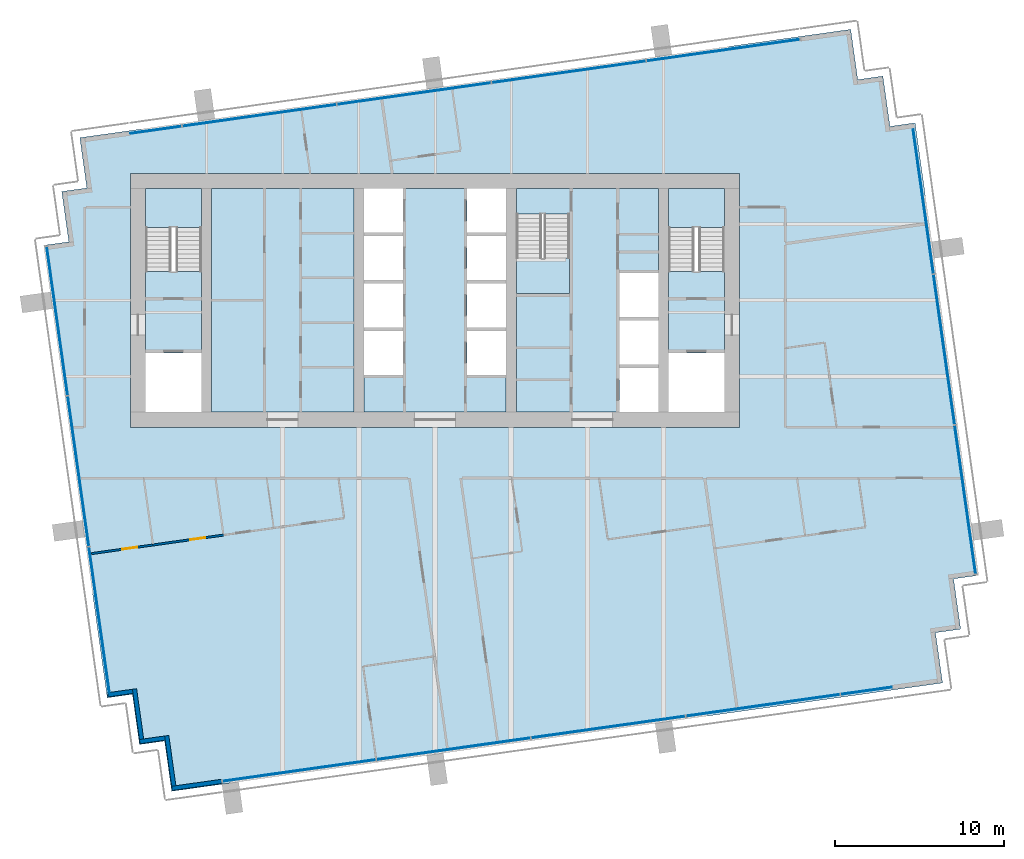
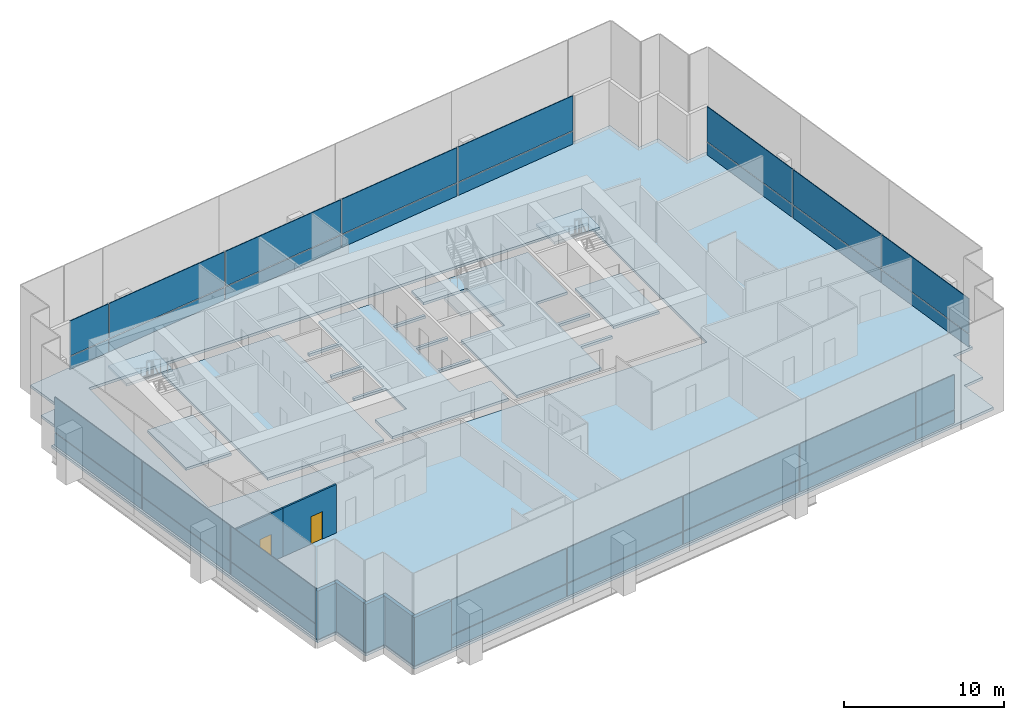
# One storey, part 8 of 17: 32 plates, 9 slabs, 7 walls, 2 doors, 2 openings, 7 elements without a shape of their own.
"""IFC4 building model written with IfcOpenShell, lengths in metres."""

from ifc_helpers import new_model, si_unit, direction, frame, frame_2d, origin, origin_2d, place, context, subcontext, project, spatial, polyline, rectangle, outline, extrude, material, layer, layer_set, type_object, element, fill, aggregate, save


model = new_model("IFC4")

# Units and contexts
model_context = context("Model", 3, precision=1e-05, world=origin(), true_north=direction((0.0, 1.0)))
body_context = subcontext(model_context, "Body", "Model", "MODEL_VIEW")
ifc_project = project(units=[si_unit("LENGTHUNIT", "METRE"), si_unit("AREAUNIT", "SQUARE_METRE"), si_unit("VOLUMEUNIT", "CUBIC_METRE"), si_unit("PLANEANGLEUNIT", "RADIAN"), si_unit("MASSUNIT", "GRAM", prefix="KILO")], contexts=[model_context])

# Site, building, storey
site_placement = place(None, origin())
site = spatial("IfcSite", under=ifc_project, at=site_placement, CompositionType="ELEMENT")
building_placement = place(site_placement, origin())
building = spatial("IfcBuilding", under=site, at=building_placement, Name="Rattan Terrace Tower", CompositionType="ELEMENT")
storey_placement = place(building_placement, frame((0.0, 0.0, 225.199951171875)))
storey = spatial("IfcBuildingStorey", under=building, at=storey_placement, Name="L51", CompositionType="ELEMENT", Elevation=225.199951171875)

# Stair, slab
ifc_material_1 = material(Name="Concrete C40/50", Category="concrete")
stair_type = type_object("IfcStairType", Name="Core exit stair 1500", PredefinedType="HALF_TURN_STAIR", material=ifc_material_1)
stair_1_placement = place(storey_placement, origin())
stair_1 = element("IfcStair", 1, at=stair_1_placement, inside=storey, type_object=stair_type, Name="L51 exit stair 1", PredefinedType="HALF_TURN_STAIR")
ifc_material_2 = material(Name="Concrete C40/50", Category="concrete")
ifc_layer_1 = layer(ifc_material_2, 0.199951171875)
ifc_layer_set_1 = layer_set([ifc_layer_1], Name="Core exit stair landing")
slab_type_1 = type_object("IfcSlabType", Name="Core exit stair landing", PredefinedType="LANDING", material=ifc_layer_set_1)
slab_1_placement = place(storey_placement, frame((0.0, 0.0, 1.75)))
slab_1 = element("IfcSlab", 2, at=slab_1_placement, type_object=slab_type_1, Name="S1 landing 1", PredefinedType="LANDING", context=body_context, shape_type="SweptSolid", body=[
    extrude(outline(polyline([(-13.800048828125, 4.300048828125), (-13.800048828125, 6.60009765625), (-17.10009765625, 6.60009765625), (-17.10009765625, 4.300048828125), (-13.800048828125, 4.300048828125)])), origin(), (0.0, 0.0, 1.0), 0.199951171875),
])
aggregate(stair_1, [slab_1])

stair_2_placement = place(storey_placement, origin())
stair_2 = element("IfcStair", 3, at=stair_2_placement, inside=storey, type_object=stair_type, Name="L51 exit stair 2", PredefinedType="HALF_TURN_STAIR")
slab_2_placement = place(storey_placement, frame((0.0, 0.0, 1.75)))
slab_2 = element("IfcSlab", 4, at=slab_2_placement, type_object=slab_type_1, Name="S2 landing 1", PredefinedType="LANDING", context=body_context, shape_type="SweptSolid", body=[
    extrude(outline(polyline([(17.10009765625, 4.300048828125), (17.10009765625, 6.60009765625), (13.800048828125, 6.60009765625), (13.800048828125, 4.300048828125), (17.10009765625, 4.300048828125)])), origin(), (0.0, 0.0, 1.0), 0.199951171875),
])
aggregate(stair_2, [slab_2])

stair_3_placement = place(storey_placement, origin())
stair_3 = element("IfcStair", 5, at=stair_3_placement, inside=storey, type_object=stair_type, Name="L51 exit stair 3", PredefinedType="HALF_TURN_STAIR")
slab_3_placement = place(storey_placement, frame((0.0, 0.0, 1.75)))
slab_3 = element("IfcSlab", 6, at=slab_3_placement, type_object=slab_type_1, Name="S3 landing 1", PredefinedType="LANDING", context=body_context, shape_type="SweptSolid", body=[
    extrude(outline(polyline([(4.800048828125, 2.5), (4.800048828125, 0.39990234375), (7.949951171875, 0.39990234375), (7.949951171875, 2.5), (4.800048828125, 2.5)])), origin(), (0.0, 0.0, 1.0), 0.199951171875),
])
aggregate(stair_3, [slab_3])

# Slabs
ifc_material_3 = material(Name="Concrete C35/45", Category="concrete")
ifc_layer_2 = layer(ifc_material_3, 0.199951171875)
ifc_layer_set_2 = layer_set([ifc_layer_2], Name="Frame composite floor slab 200")
slab_type_2 = type_object("IfcSlabType", Name="Frame composite floor slab 200", PredefinedType="FLOOR", material=ifc_layer_set_2)
slab_4_placement = place(storey_placement, frame((0.0, 0.0, -0.199951171875)))
element("IfcSlab", 7, at=slab_4_placement, inside=storey, type_object=slab_type_2, Name="Floor slab", PredefinedType="FLOOR", context=body_context, shape_type="SweptSolid", body=[
    extrude(outline(polyline([(-12.591064453125, -28.593994140625), (27.01904296875, -23.027099609375), (29.989990234375, -22.60888671875), (29.572998046875, -19.637939453125), (31.05810546875, -19.429931640625), (30.639892578125, -16.458984375), (32.1259765625, -16.25), (28.367919921875, 10.487060546875), (26.883056640625, 10.278076171875), (26.465087890625, 13.2490234375), (24.97998046875, 13.0400390625), (24.56201171875, 16.010986328125), (21.591064453125, 15.593994140625), (-18.01904296875, 10.027099609375), (-20.989990234375, 9.60888671875), (-20.572998046875, 6.637939453125), (-22.05810546875, 6.429931640625), (-21.639892578125, 3.458984375), (-23.1259765625, 3.25), (-19.367919921875, -23.487060546875), (-17.883056640625, -23.278076171875), (-17.465087890625, -26.2490234375), (-15.97998046875, -26.0400390625), (-15.56201171875, -29.010986328125), (-12.591064453125, -28.593994140625)]), holes=[polyline([(-18.0, -7.5), (18.0, -7.5), (18.0, -6.60009765625), (18.0, 6.60009765625), (18.0, 7.5), (-18.0, 7.5), (-18.0, 6.60009765625), (-18.0, -6.60009765625), (-18.0, -7.5)])]), origin(), (0.0, 0.0, 1.0), 0.199951171875),
])
slab_5_placement = place(storey_placement, frame((0.0, 0.0, -0.199951171875)))
element("IfcSlab", 8, at=slab_5_placement, inside=storey, type_object=slab_type_2, Name="Floor slab", PredefinedType="FLOOR", context=body_context, shape_type="SweptSolid", body=[
    extrude(outline(polyline([(13.199951171875, 6.60009765625), (4.800048828125, 6.60009765625), (4.800048828125, 5.090087890625), (7.949951171875, 5.090087890625), (7.949951171875, 0.39990234375), (4.800048828125, 0.39990234375), (4.800048828125, -6.60009765625), (10.89990234375, -6.60009765625), (10.89990234375, -4.0), (13.199951171875, -4.0), (13.199951171875, -3.800048828125), (10.89990234375, -3.800048828125), (10.89990234375, -1.199951171875), (13.199951171875, -1.199951171875), (13.199951171875, -1.0), (10.89990234375, -1.0), (10.89990234375, 1.60009765625), (13.199951171875, 1.60009765625), (13.199951171875, 6.60009765625)])), origin(), (0.0, 0.0, 1.0), 0.199951171875),
])
slab_6_placement = place(storey_placement, frame((0.0, 0.0, -0.199951171875)))
element("IfcSlab", 9, at=slab_6_placement, inside=storey, type_object=slab_type_2, Name="Floor slab", PredefinedType="FLOOR", context=body_context, shape_type="SweptSolid", body=[
    extrude(outline(polyline([(1.89990234375, 6.60009765625), (-1.89990234375, 6.60009765625), (-1.89990234375, 4.0), (-4.199951171875, 4.0), (-4.199951171875, 3.800048828125), (-1.89990234375, 3.800048828125), (-1.89990234375, 1.199951171875), (-4.199951171875, 1.199951171875), (-4.199951171875, 1.0), (-1.89990234375, 1.0), (-1.89990234375, -1.60009765625), (-4.199951171875, -1.60009765625), (-4.199951171875, -1.800048828125), (-1.89990234375, -1.800048828125), (-1.89990234375, -4.39990234375), (-4.199951171875, -4.39990234375), (-4.199951171875, -6.60009765625), (4.199951171875, -6.60009765625), (4.199951171875, -4.39990234375), (1.89990234375, -4.39990234375), (1.89990234375, -1.800048828125), (4.199951171875, -1.800048828125), (4.199951171875, -1.60009765625), (1.89990234375, -1.60009765625), (1.89990234375, 1.0), (4.199951171875, 1.0), (4.199951171875, 1.199951171875), (1.89990234375, 1.199951171875), (1.89990234375, 3.800048828125), (4.199951171875, 3.800048828125), (4.199951171875, 4.0), (1.89990234375, 4.0), (1.89990234375, 6.60009765625)])), origin(), (0.0, 0.0, 1.0), 0.199951171875),
])
slab_7_placement = place(storey_placement, frame((0.0, 0.0, -0.199951171875)))
element("IfcSlab", 10, at=slab_7_placement, inside=storey, type_object=slab_type_2, Name="Floor slab", PredefinedType="FLOOR", context=body_context, shape_type="SweptSolid", body=[
    extrude(outline(polyline([(-17.10009765625, -3.10009765625), (-13.800048828125, -3.10009765625), (-13.800048828125, 1.7099609375), (-17.10009765625, 1.7099609375), (-17.10009765625, -3.10009765625)])), origin(), (0.0, 0.0, 1.0), 0.199951171875),
])
slab_8_placement = place(storey_placement, frame((0.0, 0.0, -0.199951171875)))
element("IfcSlab", 11, at=slab_8_placement, inside=storey, type_object=slab_type_2, Name="Floor slab", PredefinedType="FLOOR", context=body_context, shape_type="SweptSolid", body=[
    extrude(outline(polyline([(-4.800048828125, -6.60009765625), (-4.800048828125, 6.60009765625), (-13.199951171875, 6.60009765625), (-13.199951171875, -6.60009765625), (-4.800048828125, -6.60009765625)])), origin(), (0.0, 0.0, 1.0), 0.199951171875),
])
slab_9_placement = place(storey_placement, frame((0.0, 0.0, -0.199951171875)))
element("IfcSlab", 12, at=slab_9_placement, inside=storey, type_object=slab_type_2, Name="Floor slab", PredefinedType="FLOOR", context=body_context, shape_type="SweptSolid", body=[
    extrude(outline(polyline([(13.800048828125, -3.10009765625), (17.10009765625, -3.10009765625), (17.10009765625, 1.7099609375), (13.800048828125, 1.7099609375), (13.800048828125, -3.10009765625)])), origin(), (0.0, 0.0, 1.0), 0.199951171875),
])

# Curtain wall, plates
ifc_material_4 = material(Name="Aluminium and laminated glass", Category="aluminium")
ifc_layer_3 = layer(ifc_material_4, 0.199951171875)
ifc_layer_set_3 = layer_set([ifc_layer_3], Name="High-Zone Unitised Curtain Wall")
curtain_wall_type = type_object("IfcCurtainWallType", Name="High-Zone Unitised Curtain Wall", PredefinedType="NOTDEFINED", material=ifc_layer_set_3)
curtain_wall_1_placement = place(storey_placement, origin())
curtain_wall_1 = element("IfcCurtainWall", 13, at=curtain_wall_1_placement, inside=storey, type_object=curtain_wall_type, Name="High-zone curtain wall L51-1", PredefinedType="NOTDEFINED")
ifc_material_5 = material(Name="Aluminium insulated spandrel panel", Category="aluminium")
ifc_layer_4 = layer(ifc_material_5, 0.050048828125)
ifc_layer_set_4 = layer_set([ifc_layer_4], Name="High-Zone CW Spandrel Panel")
plate_type_1 = type_object("IfcPlateType", Name="High-Zone CW Spandrel Panel", PredefinedType="CURTAIN_PANEL", material=ifc_layer_set_4)
plate_1_placement = place(storey_placement, frame((31.32568359375, -11.77783203125, 0.0), z_axis=(0.0, 0.0, 1.0), x_axis=(-0.139186165309, 0.990266232579, 0.0)))
plate_1 = element("IfcPlate", 14, at=plate_1_placement, type_object=plate_type_1, Name="Panel cwl-L51-001.1.1", PredefinedType="CURTAIN_PANEL", context=body_context, shape_type="SweptSolid", body=[
    extrude(rectangle(XDim=8.85009765625, YDim=0.050048828125, at=origin_2d()), origin(), (0.0, 0.0, 1.0), 0.965087890625),
])
plate_2_placement = place(storey_placement, frame((30.07861328125, -2.905029296875, 0.0), z_axis=(0.0, 0.0, 1.0), x_axis=(-0.139186165309, 0.990266232579, 0.0)))
plate_2 = element("IfcPlate", 15, at=plate_2_placement, type_object=plate_type_1, Name="Panel cwl-L51-001.2.1", PredefinedType="CURTAIN_PANEL", context=body_context, shape_type="SweptSolid", body=[
    extrude(rectangle(XDim=8.929931640625, YDim=0.050048828125, at=origin_2d()), origin(), (0.0, 0.0, 1.0), 0.965087890625),
])
plate_3_placement = place(storey_placement, frame((28.843994140625, 5.87841796875, 0.0), z_axis=(0.0, 0.0, 1.0), x_axis=(-0.139186165309, 0.990266232579, 0.0)))
plate_3 = element("IfcPlate", 16, at=plate_3_placement, type_object=plate_type_1, Name="Panel cwl-L51-001.3.1", PredefinedType="CURTAIN_PANEL", context=body_context, shape_type="SweptSolid", body=[
    extrude(rectangle(XDim=8.669677734375, YDim=0.050048828125, at=origin_2d()), origin(), (0.0, 0.0, 1.0), 0.965087890625),
])

curtain_wall_2_placement = place(storey_placement, origin())
curtain_wall_2 = element("IfcCurtainWall", 17, at=curtain_wall_2_placement, inside=storey, type_object=curtain_wall_type, Name="High-zone curtain wall L51-2", PredefinedType="NOTDEFINED")
plate_4_placement = place(storey_placement, frame((17.02685546875, 14.78076171875, 0.0), z_axis=(0.0, 0.0, 1.0), x_axis=(-0.990267457022, -0.139177453499, 0.0)))
plate_4 = element("IfcPlate", 18, at=plate_4_placement, type_object=plate_type_1, Name="Panel cwl-L51-002.1.1", PredefinedType="CURTAIN_PANEL", context=body_context, shape_type="SweptSolid", body=[
    extrude(rectangle(XDim=9.1259765625, YDim=0.050048828125, at=origin_2d()), origin(), (0.0, 0.0, 1.0), 0.965087890625),
])
plate_5_placement = place(storey_placement, frame((7.90283203125, 13.49853515625, 0.0), z_axis=(0.0, 0.0, 1.0), x_axis=(-0.990267457022, -0.139177453499, 0.0)))
plate_5 = element("IfcPlate", 19, at=plate_5_placement, type_object=plate_type_1, Name="Panel cwl-L51-002.2.1", PredefinedType="CURTAIN_PANEL", context=body_context, shape_type="SweptSolid", body=[
    extrude(rectangle(XDim=9.160888671875, YDim=0.050048828125, at=origin_2d()), origin(), (0.0, 0.0, 1.0), 0.965087890625),
])
plate_6_placement = place(storey_placement, frame((-1.23828125, 12.2138671875, 0.0), z_axis=(0.0, 0.0, 1.0), x_axis=(-0.990267457022, -0.139177453499, 0.0)))
plate_6 = element("IfcPlate", 20, at=plate_6_placement, type_object=plate_type_1, Name="Panel cwl-L51-002.3.1", PredefinedType="CURTAIN_PANEL", context=body_context, shape_type="SweptSolid", body=[
    extrude(rectangle(XDim=9.160888671875, YDim=0.050048828125, at=origin_2d()), origin(), (0.0, 0.0, 1.0), 0.965087890625),
])
plate_7_placement = place(storey_placement, frame((-10.37939453125, 10.928955078125, 0.0), z_axis=(0.0, 0.0, 1.0), x_axis=(-0.990267457022, -0.139177453499, 0.0)))
plate_7 = element("IfcPlate", 21, at=plate_7_placement, type_object=plate_type_1, Name="Panel cwl-L51-002.4.1", PredefinedType="CURTAIN_PANEL", context=body_context, shape_type="SweptSolid", body=[
    extrude(rectangle(XDim=9.160888671875, YDim=0.050048828125, at=origin_2d()), origin(), (0.0, 0.0, 1.0), 0.965087890625),
])
plate_8_placement = place(storey_placement, frame((-16.489990234375, 10.0703125, 0.0), z_axis=(0.0, 0.0, 1.0), x_axis=(-0.990267457022, -0.139177453499, 0.0)))
plate_8 = element("IfcPlate", 22, at=plate_8_placement, type_object=plate_type_1, Name="Panel cwl-L51-002.5.1", PredefinedType="CURTAIN_PANEL", context=body_context, shape_type="SweptSolid", body=[
    extrude(rectangle(XDim=3.040283203125, YDim=0.050048828125, at=origin_2d()), origin(), (0.0, 0.0, 1.0), 0.965087890625),
])

curtain_wall_3_placement = place(storey_placement, origin())
curtain_wall_3 = element("IfcCurtainWall", 23, at=curtain_wall_3_placement, inside=storey, type_object=curtain_wall_type, Name="High-zone curtain wall L51-3", PredefinedType="NOTDEFINED")
plate_9_placement = place(storey_placement, frame((-22.32568359375, -1.22216796875, 0.0), z_axis=(0.0, 0.0, 1.0), x_axis=(0.139186165309, -0.990266232579, 0.0)))
plate_9 = element("IfcPlate", 24, at=plate_9_placement, type_object=plate_type_1, Name="Panel cwl-L51-003.1.1", PredefinedType="CURTAIN_PANEL", context=body_context, shape_type="SweptSolid", body=[
    extrude(rectangle(XDim=8.85009765625, YDim=0.050048828125, at=origin_2d()), origin(), (0.0, 0.0, 1.0), 0.965087890625),
])
plate_10_placement = place(storey_placement, frame((-21.07861328125, -10.094970703125, 0.0), z_axis=(0.0, 0.0, 1.0), x_axis=(0.139186165309, -0.990266232579, 0.0)))
plate_10 = element("IfcPlate", 25, at=plate_10_placement, type_object=plate_type_1, Name="Panel cwl-L51-003.2.1", PredefinedType="CURTAIN_PANEL", context=body_context, shape_type="SweptSolid", body=[
    extrude(rectangle(XDim=8.929931640625, YDim=0.050048828125, at=origin_2d()), origin(), (0.0, 0.0, 1.0), 0.965087890625),
])
plate_11_placement = place(storey_placement, frame((-19.843994140625, -18.87841796875, 0.0), z_axis=(0.0, 0.0, 1.0), x_axis=(0.139186165309, -0.990266232579, 0.0)))
plate_11 = element("IfcPlate", 26, at=plate_11_placement, type_object=plate_type_1, Name="Panel cwl-L51-003.3.1", PredefinedType="CURTAIN_PANEL", context=body_context, shape_type="SweptSolid", body=[
    extrude(rectangle(XDim=8.669677734375, YDim=0.050048828125, at=origin_2d()), origin(), (0.0, 0.0, 1.0), 0.965087890625),
])

curtain_wall_4_placement = place(storey_placement, origin())
curtain_wall_4 = element("IfcCurtainWall", 27, at=curtain_wall_4_placement, inside=storey, type_object=curtain_wall_type, Name="High-zone curtain wall L51-4", PredefinedType="NOTDEFINED")
plate_12_placement = place(storey_placement, frame((-8.02685546875, -27.78076171875, 0.0), z_axis=(0.0, 0.0, 1.0), x_axis=(0.990267457022, 0.139177453499, 0.0)))
plate_12 = element("IfcPlate", 28, at=plate_12_placement, type_object=plate_type_1, Name="Panel cwl-L51-004.1.1", PredefinedType="CURTAIN_PANEL", context=body_context, shape_type="SweptSolid", body=[
    extrude(rectangle(XDim=9.1259765625, YDim=0.050048828125, at=origin_2d()), origin(), (0.0, 0.0, 1.0), 0.965087890625),
])
plate_13_placement = place(storey_placement, frame((1.09716796875, -26.49853515625, 0.0), z_axis=(0.0, 0.0, 1.0), x_axis=(0.990267457022, 0.139177453499, 0.0)))
plate_13 = element("IfcPlate", 29, at=plate_13_placement, type_object=plate_type_1, Name="Panel cwl-L51-004.2.1", PredefinedType="CURTAIN_PANEL", context=body_context, shape_type="SweptSolid", body=[
    extrude(rectangle(XDim=9.160888671875, YDim=0.050048828125, at=origin_2d()), origin(), (0.0, 0.0, 1.0), 0.965087890625),
])
plate_14_placement = place(storey_placement, frame((10.23828125, -25.2138671875, 0.0), z_axis=(0.0, 0.0, 1.0), x_axis=(0.990267457022, 0.139177453499, 0.0)))
plate_14 = element("IfcPlate", 30, at=plate_14_placement, type_object=plate_type_1, Name="Panel cwl-L51-004.3.1", PredefinedType="CURTAIN_PANEL", context=body_context, shape_type="SweptSolid", body=[
    extrude(rectangle(XDim=9.160888671875, YDim=0.050048828125, at=origin_2d()), origin(), (0.0, 0.0, 1.0), 0.965087890625),
])
plate_15_placement = place(storey_placement, frame((19.37939453125, -23.928955078125, 0.0), z_axis=(0.0, 0.0, 1.0), x_axis=(0.990267457022, 0.139177453499, 0.0)))
plate_15 = element("IfcPlate", 31, at=plate_15_placement, type_object=plate_type_1, Name="Panel cwl-L51-004.4.1", PredefinedType="CURTAIN_PANEL", context=body_context, shape_type="SweptSolid", body=[
    extrude(rectangle(XDim=9.160888671875, YDim=0.050048828125, at=origin_2d()), origin(), (0.0, 0.0, 1.0), 0.965087890625),
])
plate_16_placement = place(storey_placement, frame((25.489990234375, -23.0703125, 0.0), z_axis=(0.0, 0.0, 1.0), x_axis=(0.990267457022, 0.139177453499, 0.0)))
plate_16 = element("IfcPlate", 32, at=plate_16_placement, type_object=plate_type_1, Name="Panel cwl-L51-004.5.1", PredefinedType="CURTAIN_PANEL", context=body_context, shape_type="SweptSolid", body=[
    extrude(rectangle(XDim=3.040283203125, YDim=0.050048828125, at=origin_2d()), origin(), (0.0, 0.0, 1.0), 0.965087890625),
])

# Plate
ifc_material_6 = material(Name="Laminated low-iron glass", Category="glass")
ifc_layer_5 = layer(ifc_material_6, 0.055908203125)
ifc_layer_set_5 = layer_set([ifc_layer_5], Name="High-Zone CW Vision Panel")
plate_type_2 = type_object("IfcPlateType", Name="High-Zone CW Vision Panel", PredefinedType="CURTAIN_PANEL", material=ifc_layer_set_5)
plate_17_placement = place(storey_placement, frame((31.32568359375, -11.77783203125, 1.034912109375), z_axis=(0.0, 0.0, 1.0), x_axis=(-0.139186165309, 0.990266232579, 0.0)))
plate_17 = element("IfcPlate", 33, at=plate_17_placement, type_object=plate_type_2, Name="Panel cwl-L51-001.1.2", PredefinedType="CURTAIN_PANEL", context=body_context, shape_type="SweptSolid", body=[
    extrude(rectangle(XDim=8.85009765625, YDim=0.055908203125, at=origin_2d()), origin(), (0.0, 0.0, 1.0), 2.6650390625),
])

plate_18_placement = place(storey_placement, frame((30.07861328125, -2.905029296875, 1.034912109375), z_axis=(0.0, 0.0, 1.0), x_axis=(-0.139186165309, 0.990266232579, 0.0)))
plate_18 = element("IfcPlate", 34, at=plate_18_placement, type_object=plate_type_2, Name="Panel cwl-L51-001.2.2", PredefinedType="CURTAIN_PANEL", context=body_context, shape_type="SweptSolid", body=[
    extrude(rectangle(XDim=8.929931640625, YDim=0.055908203125, at=origin_2d()), origin(), (0.0, 0.0, 1.0), 2.6650390625),
])

plate_19_placement = place(storey_placement, frame((28.843994140625, 5.87841796875, 1.034912109375), z_axis=(0.0, 0.0, 1.0), x_axis=(-0.139186165309, 0.990266232579, 0.0)))
plate_19 = element("IfcPlate", 35, at=plate_19_placement, type_object=plate_type_2, Name="Panel cwl-L51-001.3.2", PredefinedType="CURTAIN_PANEL", context=body_context, shape_type="SweptSolid", body=[
    extrude(rectangle(XDim=8.669677734375, YDim=0.055908203125, at=origin_2d()), origin(), (0.0, 0.0, 1.0), 2.6650390625),
])

aggregate(curtain_wall_1, [plate_1, plate_17, plate_2, plate_18, plate_3, plate_19])

plate_20_placement = place(storey_placement, frame((17.02685546875, 14.78076171875, 1.034912109375), z_axis=(0.0, 0.0, 1.0), x_axis=(-0.990267457022, -0.139177453499, 0.0)))
plate_20 = element("IfcPlate", 36, at=plate_20_placement, type_object=plate_type_2, Name="Panel cwl-L51-002.1.2", PredefinedType="CURTAIN_PANEL", context=body_context, shape_type="SweptSolid", body=[
    extrude(rectangle(XDim=9.1259765625, YDim=0.055908203125, at=origin_2d()), origin(), (0.0, 0.0, 1.0), 2.6650390625),
])

plate_21_placement = place(storey_placement, frame((7.90283203125, 13.49853515625, 1.034912109375), z_axis=(0.0, 0.0, 1.0), x_axis=(-0.990267457022, -0.139177453499, 0.0)))
plate_21 = element("IfcPlate", 37, at=plate_21_placement, type_object=plate_type_2, Name="Panel cwl-L51-002.2.2", PredefinedType="CURTAIN_PANEL", context=body_context, shape_type="SweptSolid", body=[
    extrude(rectangle(XDim=9.160888671875, YDim=0.055908203125, at=origin_2d()), origin(), (0.0, 0.0, 1.0), 2.6650390625),
])

plate_22_placement = place(storey_placement, frame((-1.23828125, 12.2138671875, 1.034912109375), z_axis=(0.0, 0.0, 1.0), x_axis=(-0.990267457022, -0.139177453499, 0.0)))
plate_22 = element("IfcPlate", 38, at=plate_22_placement, type_object=plate_type_2, Name="Panel cwl-L51-002.3.2", PredefinedType="CURTAIN_PANEL", context=body_context, shape_type="SweptSolid", body=[
    extrude(rectangle(XDim=9.160888671875, YDim=0.055908203125, at=origin_2d()), origin(), (0.0, 0.0, 1.0), 2.6650390625),
])

plate_23_placement = place(storey_placement, frame((-10.37939453125, 10.928955078125, 1.034912109375), z_axis=(0.0, 0.0, 1.0), x_axis=(-0.990267457022, -0.139177453499, 0.0)))
plate_23 = element("IfcPlate", 39, at=plate_23_placement, type_object=plate_type_2, Name="Panel cwl-L51-002.4.2", PredefinedType="CURTAIN_PANEL", context=body_context, shape_type="SweptSolid", body=[
    extrude(rectangle(XDim=9.160888671875, YDim=0.055908203125, at=origin_2d()), origin(), (0.0, 0.0, 1.0), 2.6650390625),
])

plate_24_placement = place(storey_placement, frame((-16.489990234375, 10.0703125, 1.034912109375), z_axis=(0.0, 0.0, 1.0), x_axis=(-0.990267457022, -0.139177453499, 0.0)))
plate_24 = element("IfcPlate", 40, at=plate_24_placement, type_object=plate_type_2, Name="Panel cwl-L51-002.5.2", PredefinedType="CURTAIN_PANEL", context=body_context, shape_type="SweptSolid", body=[
    extrude(rectangle(XDim=3.040283203125, YDim=0.055908203125, at=origin_2d()), origin(), (0.0, 0.0, 1.0), 2.6650390625),
])

aggregate(curtain_wall_2, [plate_4, plate_20, plate_5, plate_21, plate_6, plate_22, plate_7, plate_23, plate_8, plate_24])

plate_25_placement = place(storey_placement, frame((-22.32568359375, -1.22216796875, 1.034912109375), z_axis=(0.0, 0.0, 1.0), x_axis=(0.139186165309, -0.990266232579, 0.0)))
plate_25 = element("IfcPlate", 41, at=plate_25_placement, type_object=plate_type_2, Name="Panel cwl-L51-003.1.2", PredefinedType="CURTAIN_PANEL", context=body_context, shape_type="SweptSolid", body=[
    extrude(rectangle(XDim=8.85009765625, YDim=0.055908203125, at=origin_2d()), origin(), (0.0, 0.0, 1.0), 2.6650390625),
])

plate_26_placement = place(storey_placement, frame((-21.07861328125, -10.094970703125, 1.034912109375), z_axis=(0.0, 0.0, 1.0), x_axis=(0.139186165309, -0.990266232579, 0.0)))
plate_26 = element("IfcPlate", 42, at=plate_26_placement, type_object=plate_type_2, Name="Panel cwl-L51-003.2.2", PredefinedType="CURTAIN_PANEL", context=body_context, shape_type="SweptSolid", body=[
    extrude(rectangle(XDim=8.929931640625, YDim=0.055908203125, at=origin_2d()), origin(), (0.0, 0.0, 1.0), 2.6650390625),
])

plate_27_placement = place(storey_placement, frame((-19.843994140625, -18.87841796875, 1.034912109375), z_axis=(0.0, 0.0, 1.0), x_axis=(0.139186165309, -0.990266232579, 0.0)))
plate_27 = element("IfcPlate", 43, at=plate_27_placement, type_object=plate_type_2, Name="Panel cwl-L51-003.3.2", PredefinedType="CURTAIN_PANEL", context=body_context, shape_type="SweptSolid", body=[
    extrude(rectangle(XDim=8.669677734375, YDim=0.055908203125, at=origin_2d()), origin(), (0.0, 0.0, 1.0), 2.6650390625),
])

aggregate(curtain_wall_3, [plate_9, plate_25, plate_10, plate_26, plate_11, plate_27])

plate_28_placement = place(storey_placement, frame((-8.02685546875, -27.78076171875, 1.034912109375), z_axis=(0.0, 0.0, 1.0), x_axis=(0.990267457022, 0.139177453499, 0.0)))
plate_28 = element("IfcPlate", 44, at=plate_28_placement, type_object=plate_type_2, Name="Panel cwl-L51-004.1.2", PredefinedType="CURTAIN_PANEL", context=body_context, shape_type="SweptSolid", body=[
    extrude(rectangle(XDim=9.1259765625, YDim=0.055908203125, at=origin_2d()), origin(), (0.0, 0.0, 1.0), 2.6650390625),
])

plate_29_placement = place(storey_placement, frame((1.09716796875, -26.49853515625, 1.034912109375), z_axis=(0.0, 0.0, 1.0), x_axis=(0.990267457022, 0.139177453499, 0.0)))
plate_29 = element("IfcPlate", 45, at=plate_29_placement, type_object=plate_type_2, Name="Panel cwl-L51-004.2.2", PredefinedType="CURTAIN_PANEL", context=body_context, shape_type="SweptSolid", body=[
    extrude(rectangle(XDim=9.160888671875, YDim=0.055908203125, at=origin_2d()), origin(), (0.0, 0.0, 1.0), 2.6650390625),
])

plate_30_placement = place(storey_placement, frame((10.23828125, -25.2138671875, 1.034912109375), z_axis=(0.0, 0.0, 1.0), x_axis=(0.990267457022, 0.139177453499, 0.0)))
plate_30 = element("IfcPlate", 46, at=plate_30_placement, type_object=plate_type_2, Name="Panel cwl-L51-004.3.2", PredefinedType="CURTAIN_PANEL", context=body_context, shape_type="SweptSolid", body=[
    extrude(rectangle(XDim=9.160888671875, YDim=0.055908203125, at=origin_2d()), origin(), (0.0, 0.0, 1.0), 2.6650390625),
])

plate_31_placement = place(storey_placement, frame((19.37939453125, -23.928955078125, 1.034912109375), z_axis=(0.0, 0.0, 1.0), x_axis=(0.990267457022, 0.139177453499, 0.0)))
plate_31 = element("IfcPlate", 47, at=plate_31_placement, type_object=plate_type_2, Name="Panel cwl-L51-004.4.2", PredefinedType="CURTAIN_PANEL", context=body_context, shape_type="SweptSolid", body=[
    extrude(rectangle(XDim=9.160888671875, YDim=0.055908203125, at=origin_2d()), origin(), (0.0, 0.0, 1.0), 2.6650390625),
])

plate_32_placement = place(storey_placement, frame((25.489990234375, -23.0703125, 1.034912109375), z_axis=(0.0, 0.0, 1.0), x_axis=(0.990267457022, 0.139177453499, 0.0)))
plate_32 = element("IfcPlate", 48, at=plate_32_placement, type_object=plate_type_2, Name="Panel cwl-L51-004.5.2", PredefinedType="CURTAIN_PANEL", context=body_context, shape_type="SweptSolid", body=[
    extrude(rectangle(XDim=3.040283203125, YDim=0.055908203125, at=origin_2d()), origin(), (0.0, 0.0, 1.0), 2.6650390625),
])

aggregate(curtain_wall_4, [plate_12, plate_28, plate_13, plate_29, plate_14, plate_30, plate_15, plate_31, plate_16, plate_32])

# Walls
ifc_material_7 = material(Name="Insulated aluminium-clad stud wall", Category="aluminium")
ifc_layer_6 = layer(ifc_material_7, 0.25)
ifc_layer_set_6 = layer_set([ifc_layer_6], Name="Facade Riser Wall 250")
wall_type_1 = type_object("IfcWallType", Name="Facade Riser Wall 250", PredefinedType="SOLIDWALL", material=ifc_layer_set_6)
wall_1_placement = place(storey_placement, frame((-19.322265625, -23.308837890625, 0.0), z_axis=(0.0, 0.0, 1.0), x_axis=(0.990235520307, 0.13940449893, 0.0)))
element("IfcWall", 49, at=wall_1_placement, inside=storey, type_object=wall_type_1, Name="Riser wall L51-16", PredefinedType="SOLIDWALL", context=body_context, shape_type="SweptSolid", body=[
    extrude(rectangle(XDim=1.474609375, YDim=0.25, at=frame_2d((0.7373046875, 0.0))), origin(), (0.0, 0.0, 1.0), 3.699951171875),
])
wall_2_placement = place(storey_placement, frame((-17.755859375, -22.962158203125, 0.0), z_axis=(0.0, 0.0, 1.0), x_axis=(0.139393225799, -0.990237107263, 0.0)))
element("IfcWall", 50, at=wall_2_placement, inside=storey, type_object=wall_type_1, Name="Riser wall L51-17", PredefinedType="SOLIDWALL", context=body_context, shape_type="SweptSolid", body=[
    extrude(rectangle(XDim=3.000244140625, YDim=0.25, at=frame_2d((1.5, 0.0))), origin(), (0.0, 0.0, 1.0), 3.699951171875),
])
wall_3_placement = place(storey_placement, frame((-17.444091796875, -26.074462890625, 0.0), z_axis=(0.0, 0.0, 1.0), x_axis=(0.990240434918, 0.139369584395, 0.0)))
element("IfcWall", 51, at=wall_3_placement, inside=storey, type_object=wall_type_1, Name="Riser wall L51-18", PredefinedType="SOLIDWALL", context=body_context, shape_type="SweptSolid", body=[
    extrude(rectangle(XDim=1.49951171875, YDim=0.25, at=frame_2d((0.749755859375, 0.0))), origin(), (0.0, 0.0, 1.0), 3.699951171875),
])
wall_4_placement = place(storey_placement, frame((-15.852783203125, -25.72412109375, 0.0), z_axis=(0.0, 0.0, 1.0), x_axis=(0.139302206688, -0.990249915532, 0.0)))
element("IfcWall", 52, at=wall_4_placement, inside=storey, type_object=wall_type_1, Name="Riser wall L51-19", PredefinedType="SOLIDWALL", context=body_context, shape_type="SweptSolid", body=[
    extrude(rectangle(XDim=3.00048828125, YDim=0.25, at=frame_2d((1.500244140625, 0.0))), origin(), (0.0, 0.0, 1.0), 3.699951171875),
])
wall_5_placement = place(storey_placement, frame((-15.541015625, -28.83642578125, 0.0), z_axis=(0.0, 0.0, 1.0), x_axis=(0.990285396533, 0.139049751574, 0.0)))
element("IfcWall", 53, at=wall_5_placement, inside=storey, type_object=wall_type_1, Name="Riser wall L51-20", PredefinedType="SOLIDWALL", context=body_context, shape_type="SweptSolid", body=[
    extrude(rectangle(XDim=2.955078125, YDim=0.25, at=frame_2d((1.4775390625, 0.0))), origin(), (0.0, 0.0, 1.0), 3.699951171875),
])

# Wall, opening, door
ifc_material_8 = material(Name="Moisture resistant gypsum board partition on steel studs with service cavity", Category="steel")
ifc_layer_7 = layer(ifc_material_8, 0.1201171875)
ifc_layer_set_7 = layer_set([ifc_layer_7], Name="Floors Wet Wall 120")
wall_type_2 = type_object("IfcWallType", Name="Floors Wet Wall 120", PredefinedType="PARTITIONING", material=ifc_layer_set_7)
wall_6_placement = place(storey_placement, frame((-20.302978515625, -14.967041015625, 0.0), z_axis=(0.0, 0.0, 1.0), x_axis=(0.990278989802, 0.139095371445, 0.0)))
wall_6 = element("IfcWall", 54, at=wall_6_placement, inside=storey, type_object=wall_type_2, Name="pt-L51-027", PredefinedType="PARTITIONING", context=body_context, shape_type="SweptSolid", body=[
    extrude(rectangle(XDim=3.65966796875, YDim=0.1201171875, at=frame_2d((1.829833984375, 0.0))), origin(), (0.0, 0.0, 1.0), 3.699951171875),
])
opening_1_placement = place(wall_6_placement, frame((1.83203125, 0.0, 0.0)))
opening_1 = element("IfcOpeningElement", 55, at=opening_1_placement, cuts=wall_6, Name="Opening L51-D102", PredefinedType="OPENING", context=body_context, shape_type="SweptSolid", body=[
    extrude(rectangle(XDim=0.89990234375, YDim=2.10009765625, at=frame_2d((0.449951171875, 1.050048828125))), frame((0.0, 0.070556640625, 0.0), z_axis=(0.0, -1.0, 0.0), x_axis=(1.0, 0.0, 0.0)), (0.0, 0.0, 1.0), 0.14111328125),
])
ifc_material_9 = material(Name="Solid core timber door, painted", Category="wood")
door_type = type_object("IfcDoorType", Name="Floors Door 900x2100", OperationType="NOTDEFINED", PredefinedType="DOOR", material=ifc_material_9)
door_1_placement = place(opening_1_placement, origin())
door_1 = element("IfcDoor", 56, at=door_1_placement, inside=storey, type_object=door_type, Name="d-L51-102", OperationType="SINGLE_SWING_RIGHT", OverallHeight=2.10009765625, OverallWidth=0.89990234375, PredefinedType="DOOR", context=body_context, shape_type="SweptSolid", body=[
    extrude(rectangle(XDim=0.89990234375, YDim=2.10009765625, at=frame_2d((0.449951171875, 1.050048828125))), frame((0.0, 0.02490234375, 0.0), z_axis=(0.0, -1.0, 0.0), x_axis=(1.0, 0.0, 0.0)), (0.0, 0.0, 1.0), 0.050048828125),
])
fill(opening_1, door_1)

wall_7_placement = place(storey_placement, frame((-16.678955078125, -14.4580078125, 0.0), z_axis=(0.0, 0.0, 1.0), x_axis=(0.990269352743, 0.139163964508, 0.0)))
wall_7 = element("IfcWall", 57, at=wall_7_placement, inside=storey, type_object=wall_type_2, Name="pt-L51-028", PredefinedType="PARTITIONING", context=body_context, shape_type="SweptSolid", body=[
    extrude(rectangle(XDim=4.240234375, YDim=0.1201171875, at=frame_2d((2.1201171875, 0.0))), origin(), (0.0, 0.0, 1.0), 3.699951171875),
])
opening_2_placement = place(wall_7_placement, frame((2.238037109375, 0.0, 0.0)))
opening_2 = element("IfcOpeningElement", 58, at=opening_2_placement, cuts=wall_7, Name="Opening L51-D103", PredefinedType="OPENING", context=body_context, shape_type="SweptSolid", body=[
    extrude(rectangle(XDim=0.89990234375, YDim=2.10009765625, at=frame_2d((0.449951171875, 1.050048828125))), frame((0.0, 0.070556640625, 0.0), z_axis=(0.0, -1.0, 0.0), x_axis=(1.0, 0.0, 0.0)), (0.0, 0.0, 1.0), 0.14111328125),
])
door_2_placement = place(opening_2_placement, origin())
door_2 = element("IfcDoor", 59, at=door_2_placement, inside=storey, type_object=door_type, Name="d-L51-103", OperationType="SINGLE_SWING_RIGHT", OverallHeight=2.10009765625, OverallWidth=0.89990234375, PredefinedType="DOOR", context=body_context, shape_type="SweptSolid", body=[
    extrude(rectangle(XDim=0.89990234375, YDim=2.10009765625, at=frame_2d((0.449951171875, 1.050048828125))), frame((0.0, 0.02490234375, 0.0), z_axis=(0.0, -1.0, 0.0), x_axis=(1.0, 0.0, 0.0)), (0.0, 0.0, 1.0), 0.050048828125),
])
fill(opening_2, door_2)

save(model, "model.ifc")
